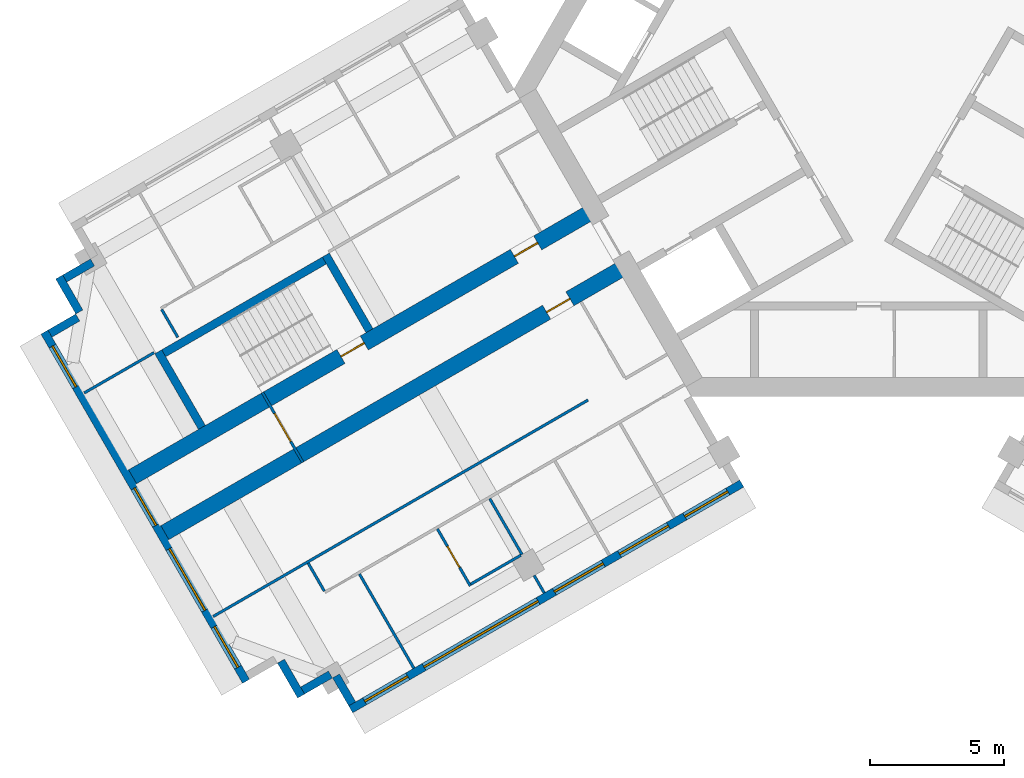
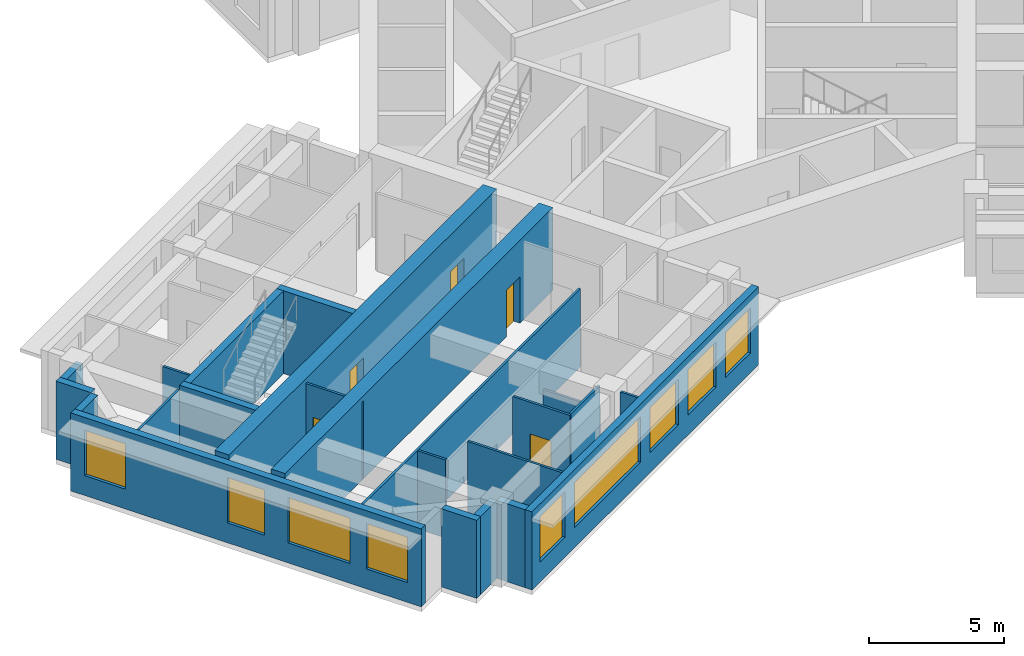
# One storey, part 2 of 10: 23 walls, 9 windows, 5 doors, 14 openings.
"""IFC4 building model written with IfcOpenShell, lengths in metres."""

from ifc_helpers import new_model, si_unit, direction, frame, frame_2d, origin, place, context, subcontext, project, spatial, rectangle, extrude, material, layer, layer_set, type_object, element, fill, save


model = new_model("IFC4")

# Units and contexts
model_context = context("Model", 3, precision=1e-05, world=origin(), true_north=direction((0.0, 1.0)))
body_context = subcontext(model_context, "Body", "Model", "MODEL_VIEW")
ifc_project = project(units=[si_unit("LENGTHUNIT", "METRE"), si_unit("AREAUNIT", "SQUARE_METRE"), si_unit("VOLUMEUNIT", "CUBIC_METRE"), si_unit("PLANEANGLEUNIT", "RADIAN"), si_unit("MASSUNIT", "GRAM", prefix="KILO")], contexts=[model_context])

# Site, building, storey
site_placement = place(None, origin())
site = spatial("IfcSite", under=ifc_project, at=site_placement, CompositionType="ELEMENT")
building_placement = place(site_placement, origin())
building = spatial("IfcBuilding", under=site, at=building_placement, Name="Impinga Residences", CompositionType="ELEMENT")
storey_placement = place(building_placement, frame((0.0, 0.0, 267.25)))
storey = spatial("IfcBuildingStorey", under=building, at=storey_placement, Name="L67", CompositionType="ELEMENT", Elevation=267.25)

# Wall, opening, door
ifc_material_1 = material(Name="Concrete C60/75", Category="concrete")
ifc_layer_1 = layer(ifc_material_1, 0.60009765625)
ifc_layer_set_1 = layer_set([ifc_layer_1], Name="Concrete C60/75")
wall_type_1 = type_object("IfcWallType", Name="BW3 corridor buttress wall, L46 to L73 600", PredefinedType="SHEAR", material=ifc_layer_set_1)
wall_1_placement = place(storey_placement, frame((-8.996826171875, -6.580078125, 0.0), z_axis=(0.0, 0.0, 1.0), x_axis=(-0.866030540451, -0.499991102927, 0.0)))
wall_1 = element("IfcWall", 1, at=wall_1_placement, inside=storey, type_object=wall_type_1, Name="Corridor wall BW3 WC L67", PredefinedType="SHEAR", context=body_context, shape_type="SweptSolid", body=[
    extrude(rectangle(XDim=19.849853515625, YDim=0.60009765625, at=frame_2d((9.9248046875, 0.0))), origin(), (0.0, 0.0, 1.0), 3.75),
])
opening_1_placement = place(wall_1_placement, frame((2.449951171875, 0.0, 0.0)))
opening_1 = element("IfcOpeningElement", 2, at=opening_1_placement, cuts=wall_1, Name="Opening D1", PredefinedType="OPENING", context=body_context, shape_type="SweptSolid", body=[
    extrude(rectangle(XDim=1.0, YDim=2.10009765625, at=frame_2d((0.5, 1.050048828125))), frame((0.0, 0.31005859375, 0.0), z_axis=(0.0, -1.0, 0.0), x_axis=(1.0, 0.0, 0.0)), (0.0, 0.0, 1.0), 0.6201171875),
])
ifc_material_2 = material(Name="Timber door set", Category="wood")
door_type_1 = type_object("IfcDoorType", Name="D1 apartment entrance door 1000x2100", OperationType="SINGLE_SWING_LEFT", PredefinedType="DOOR", material=ifc_material_2)
door_1_placement = place(opening_1_placement, origin())
door_1 = element("IfcDoor", 3, at=door_1_placement, inside=storey, type_object=door_type_1, Name="Apartment L67-WA1 entrance", OperationType="SINGLE_SWING_LEFT", OverallHeight=2.10009765625, OverallWidth=1.0, PredefinedType="DOOR", context=body_context, shape_type="SweptSolid", body=[
    extrude(rectangle(XDim=1.0, YDim=2.10009765625, at=frame_2d((0.5, 1.050048828125))), frame((0.0, 0.02490234375, 0.0), z_axis=(0.0, -1.0, 0.0), x_axis=(1.0, 0.0, 0.0)), (0.0, 0.0, 1.0), 0.050048828125),
])
fill(opening_1, door_1)

# Wall, openings, doors
wall_2_placement = place(storey_placement, frame((-10.19677734375, -4.50146484375, 0.0), z_axis=(0.0, 0.0, 1.0), x_axis=(-0.866025214745, -0.500000327426, 0.0)))
wall_2 = element("IfcWall", 4, at=wall_2_placement, inside=storey, type_object=wall_type_1, Name="Corridor wall BW3 WD L67", PredefinedType="SHEAR", context=body_context, shape_type="SweptSolid", body=[
    extrude(rectangle(XDim=19.85009765625, YDim=0.60009765625, at=frame_2d((9.925048828125, 0.0))), origin(), (0.0, 0.0, 1.0), 3.75),
])
opening_2_placement = place(wall_2_placement, frame((9.89990234375, 0.0, 0.0)))
opening_2 = element("IfcOpeningElement", 5, at=opening_2_placement, cuts=wall_2, Name="Opening D5", PredefinedType="OPENING", context=body_context, shape_type="SweptSolid", body=[
    extrude(rectangle(XDim=1.0, YDim=2.10009765625, at=frame_2d((0.5, 1.050048828125))), frame((0.0, 0.31005859375, 0.0), z_axis=(0.0, -1.0, 0.0), x_axis=(1.0, 0.0, 0.0)), (0.0, 0.0, 1.0), 0.6201171875),
])
opening_3_placement = place(wall_2_placement, frame((2.449951171875, 0.0, 0.0)))
opening_3 = element("IfcOpeningElement", 6, at=opening_3_placement, cuts=wall_2, Name="Opening D1", PredefinedType="OPENING", context=body_context, shape_type="SweptSolid", body=[
    extrude(rectangle(XDim=1.0, YDim=2.10009765625, at=frame_2d((0.5, 1.050048828125))), frame((0.0, 0.31005859375, 0.0), z_axis=(0.0, -1.0, 0.0), x_axis=(1.0, 0.0, 0.0)), (0.0, 0.0, 1.0), 0.6201171875),
])
door_2_placement = place(opening_3_placement, origin())
door_2 = element("IfcDoor", 7, at=door_2_placement, inside=storey, type_object=door_type_1, Name="Apartment L67-WF1 entrance", OperationType="SINGLE_SWING_LEFT", OverallHeight=2.10009765625, OverallWidth=1.0, PredefinedType="DOOR", context=body_context, shape_type="SweptSolid", body=[
    extrude(rectangle(XDim=1.0, YDim=2.10009765625, at=frame_2d((0.5, 1.050048828125))), frame((0.0, 0.02490234375, 0.0), z_axis=(0.0, -1.0, 0.0), x_axis=(1.0, 0.0, 0.0)), (0.0, 0.0, 1.0), 0.050048828125),
])
fill(opening_3, door_2)
door_type_2 = type_object("IfcDoorType", Name="D5 stair door 1000x2100", OperationType="SINGLE_SWING_LEFT", PredefinedType="DOOR", material=ifc_material_2)
door_3_placement = place(opening_2_placement, origin())
door_3 = element("IfcDoor", 8, at=door_3_placement, inside=storey, type_object=door_type_2, Name="Wing stair door W", OperationType="SINGLE_SWING_RIGHT", OverallHeight=2.10009765625, OverallWidth=1.0, PredefinedType="DOOR", context=body_context, shape_type="SweptSolid", body=[
    extrude(rectangle(XDim=1.0, YDim=2.10009765625, at=frame_2d((0.5, 1.050048828125))), frame((0.0, 0.02490234375, 0.0), z_axis=(0.0, -1.0, 0.0), x_axis=(1.0, 0.0, 0.0)), (0.0, 0.0, 1.0), 0.050048828125),
])
fill(opening_2, door_3)

# Wall, opening, door
ifc_material_3 = material(Name="Concrete blockwork", Category="masonry")
ifc_layer_2 = layer(ifc_material_3, 0.10009765625)
ifc_layer_set_2 = layer_set([ifc_layer_2], Name="CP1 core room partition, blockwork 100")
wall_type_2 = type_object("IfcWallType", Name="CP1 core room partition, blockwork 100", PredefinedType="PARTITIONING", material=ifc_layer_set_2)
wall_3_placement = place(storey_placement, frame((-21.057861328125, -13.889892578125, 0.0), z_axis=(0.0, 0.0, 1.0), x_axis=(-0.499990139034, 0.866031096941, 0.0)))
wall_3 = element("IfcWall", 9, at=wall_3_placement, inside=storey, type_object=wall_type_2, Name="Core room partition, blockwork L67:W:LNG", PredefinedType="PARTITIONING", context=body_context, shape_type="SweptSolid", body=[
    extrude(rectangle(XDim=3.0, YDim=0.10009765625, at=frame_2d((1.5, 0.0))), origin(), (0.0, 0.0, 1.0), 3.530029296875),
])
opening_4_placement = place(wall_3_placement, frame((0.89990234375, 0.0, 0.0)))
opening_4 = element("IfcOpeningElement", 10, at=opening_4_placement, cuts=wall_3, Name="Opening D3", PredefinedType="OPENING", context=body_context, shape_type="SweptSolid", body=[
    extrude(rectangle(XDim=1.199951171875, YDim=2.10009765625, at=frame_2d((0.60009765625, 1.050048828125))), frame((0.0, 0.06005859375, 0.0), z_axis=(0.0, -1.0, 0.0), x_axis=(1.0, 0.0, 0.0)), (0.0, 0.0, 1.0), 0.1201171875),
])
door_type_3 = type_object("IfcDoorType", Name="D3 room door, leaf and a half 1200x2100", OperationType="DOUBLE_SWING_LEFT", PredefinedType="DOOR", material=ifc_material_2)
door_4_placement = place(opening_4_placement, origin())
door_4 = element("IfcDoor", 11, at=door_4_placement, inside=storey, type_object=door_type_3, Name="Residents' lounge door W", OperationType="DOUBLE_SWING_LEFT", OverallHeight=2.10009765625, OverallWidth=1.199951171875, PredefinedType="DOOR", context=body_context, shape_type="SweptSolid", body=[
    extrude(rectangle(XDim=1.199951171875, YDim=2.10009765625, at=frame_2d((0.60009765625, 1.050048828125))), frame((0.0, 0.02490234375, 0.0), z_axis=(0.0, -1.0, 0.0), x_axis=(1.0, 0.0, 0.0)), (0.0, 0.0, 1.0), 0.050048828125),
])
fill(opening_4, door_4)

# Walls
ifc_material_4 = material(Name="Terracotta rainscreen on blockwork", Category="masonry")
ifc_layer_3 = layer(ifc_material_4, 0.300048828125)
ifc_layer_set_3 = layer_set([ifc_layer_3], Name="EW1 external wall, terracotta rainscreen on blockwork 300")
wall_type_3 = type_object("IfcWallType", Name="EW1 external wall, terracotta rainscreen on blockwork 300", PredefinedType="SOLIDWALL", material=ifc_layer_set_3)
wall_4_placement = place(storey_placement, frame((-19.21923828125, -22.874267578125, 0.0), z_axis=(0.0, 0.0, 1.0), x_axis=(-0.500033551112, 0.866006032174, 0.0)))
element("IfcWall", 12, at=wall_4_placement, inside=storey, type_object=wall_type_3, Name="External wall EW1 L67", PredefinedType="SOLIDWALL", context=body_context, shape_type="SweptSolid", body=[
    extrude(rectangle(XDim=1.2001953125, YDim=0.300048828125, at=frame_2d((0.60009765625, 0.0))), origin(), (0.0, 0.0, 1.0), 3.530029296875),
])
wall_5_placement = place(storey_placement, frame((-20.028564453125, -21.782470703125, 0.0), z_axis=(0.0, 0.0, 1.0), x_axis=(-0.865971243484, -0.500093796661, 0.0)))
element("IfcWall", 13, at=wall_5_placement, inside=storey, type_object=wall_type_3, Name="External wall EW1 L67", PredefinedType="SOLIDWALL", context=body_context, shape_type="SweptSolid", body=[
    extrude(rectangle(XDim=1.195068359375, YDim=0.300048828125, at=frame_2d((0.59765625, 0.0))), origin(), (0.0, 0.0, 1.0), 3.530029296875),
])
wall_6_placement = place(storey_placement, frame((-21.118408203125, -22.5849609375, 0.0), z_axis=(0.0, 0.0, 1.0), x_axis=(-0.499990139034, 0.866031096941, 0.0)))
element("IfcWall", 14, at=wall_6_placement, inside=storey, type_object=wall_type_3, Name="External wall EW1 L67", PredefinedType="SOLIDWALL", context=body_context, shape_type="SweptSolid", body=[
    extrude(rectangle(XDim=1.5, YDim=0.300048828125, at=frame_2d((0.75, 0.0))), origin(), (0.0, 0.0, 1.0), 3.530029296875),
])

# Wall, openings, windows
wall_7_placement = place(storey_placement, frame((-23.16748046875, -22.035888671875, 0.0), z_axis=(0.0, 0.0, 1.0), x_axis=(-0.500004234368, 0.866022959057, 0.0)))
wall_7 = element("IfcWall", 15, at=wall_7_placement, inside=storey, type_object=wall_type_3, Name="External wall EW1 L67", PredefinedType="SOLIDWALL", context=body_context, shape_type="SweptSolid", body=[
    extrude(rectangle(XDim=14.999755859375, YDim=0.300048828125, at=frame_2d((7.5, 0.0))), origin(), (0.0, 0.0, 1.0), 3.530029296875),
])
opening_5_placement = place(wall_7_placement, frame((0.60009765625, 0.0, 0.89990234375)))
opening_5 = element("IfcOpeningElement", 16, at=opening_5_placement, cuts=wall_7, Name="Opening W1", PredefinedType="OPENING", context=body_context, shape_type="SweptSolid", body=[
    extrude(rectangle(XDim=1.75, YDim=2.050048828125, at=frame_2d((0.875, 1.02490234375))), frame((0.0, 0.159912109375, 0.0), z_axis=(0.0, -1.0, 0.0), x_axis=(1.0, 0.0, 0.0)), (0.0, 0.0, 1.0), 0.320068359375),
])
opening_6_placement = place(wall_7_placement, frame((3.050048828125, 0.0, 0.89990234375)))
opening_6 = element("IfcOpeningElement", 17, at=opening_6_placement, cuts=wall_7, Name="Opening W18", PredefinedType="OPENING", context=body_context, shape_type="SweptSolid", body=[
    extrude(rectangle(XDim=2.64990234375, YDim=2.050048828125, at=frame_2d((1.324951171875, 1.02490234375))), frame((0.0, 0.159912109375, 0.0), z_axis=(0.0, -1.0, 0.0), x_axis=(1.0, 0.0, 0.0)), (0.0, 0.0, 1.0), 0.320068359375),
])
opening_7_placement = place(wall_7_placement, frame((6.699951171875, 0.0, 0.89990234375)))
opening_7 = element("IfcOpeningElement", 18, at=opening_7_placement, cuts=wall_7, Name="Opening W19", PredefinedType="OPENING", context=body_context, shape_type="SweptSolid", body=[
    extrude(rectangle(XDim=1.60009765625, YDim=2.050048828125, at=frame_2d((0.800048828125, 1.02490234375))), frame((0.0, 0.159912109375, 0.0), z_axis=(0.0, -1.0, 0.0), x_axis=(1.0, 0.0, 0.0)), (0.0, 0.0, 1.0), 0.320068359375),
])
opening_8_placement = place(wall_7_placement, frame((12.64990234375, 0.0, 0.89990234375)))
opening_8 = element("IfcOpeningElement", 19, at=opening_8_placement, cuts=wall_7, Name="Opening W1", PredefinedType="OPENING", context=body_context, shape_type="SweptSolid", body=[
    extrude(rectangle(XDim=1.75, YDim=2.050048828125, at=frame_2d((0.875, 1.02490234375))), frame((0.0, 0.159912109375, 0.0), z_axis=(0.0, -1.0, 0.0), x_axis=(1.0, 0.0, 0.0)), (0.0, 0.0, 1.0), 0.320068359375),
])
ifc_material_5 = material(Name="Aluminium window, clear double glazing", Category="aluminium")
window_type_1 = type_object("IfcWindowType", Name="W1 ribbon window 1750x2050", PartitioningType="SINGLE_PANEL", PredefinedType="WINDOW", material=ifc_material_5)
window_1_placement = place(opening_5_placement, origin())
window_1 = element("IfcWindow", 20, at=window_1_placement, inside=storey, type_object=window_type_1, Name="Window L67", OverallHeight=2.050048828125, OverallWidth=1.75, PartitioningType="SINGLE_PANEL", PredefinedType="WINDOW", context=body_context, shape_type="SweptSolid", body=[
    extrude(rectangle(XDim=1.75, YDim=2.050048828125, at=frame_2d((0.875, 1.02490234375))), frame((0.0, 0.030029296875, 0.0), z_axis=(0.0, -1.0, 0.0), x_axis=(1.0, 0.0, 0.0)), (0.0, 0.0, 1.0), 0.06005859375),
])
fill(opening_5, window_1)
window_2_placement = place(opening_8_placement, origin())
window_2 = element("IfcWindow", 21, at=window_2_placement, inside=storey, type_object=window_type_1, Name="Window L67", OverallHeight=2.050048828125, OverallWidth=1.75, PartitioningType="SINGLE_PANEL", PredefinedType="WINDOW", context=body_context, shape_type="SweptSolid", body=[
    extrude(rectangle(XDim=1.75, YDim=2.050048828125, at=frame_2d((0.875, 1.02490234375))), frame((0.0, 0.030029296875, 0.0), z_axis=(0.0, -1.0, 0.0), x_axis=(1.0, 0.0, 0.0)), (0.0, 0.0, 1.0), 0.06005859375),
])
fill(opening_8, window_2)
window_type_2 = type_object("IfcWindowType", Name="W18 ribbon window 2650x2050", PartitioningType="SINGLE_PANEL", PredefinedType="WINDOW", material=ifc_material_5)
window_3_placement = place(opening_6_placement, origin())
window_3 = element("IfcWindow", 22, at=window_3_placement, inside=storey, type_object=window_type_2, Name="Window L67", OverallHeight=2.050048828125, OverallWidth=2.64990234375, PartitioningType="SINGLE_PANEL", PredefinedType="WINDOW", context=body_context, shape_type="SweptSolid", body=[
    extrude(rectangle(XDim=2.64990234375, YDim=2.050048828125, at=frame_2d((1.324951171875, 1.02490234375))), frame((0.0, 0.030029296875, 0.0), z_axis=(0.0, -1.0, 0.0), x_axis=(1.0, 0.0, 0.0)), (0.0, 0.0, 1.0), 0.06005859375),
])
fill(opening_6, window_3)
window_type_3 = type_object("IfcWindowType", Name="W19 ribbon window 1600x2050", PartitioningType="SINGLE_PANEL", PredefinedType="WINDOW", material=ifc_material_5)
window_4_placement = place(opening_7_placement, origin())
window_4 = element("IfcWindow", 23, at=window_4_placement, inside=storey, type_object=window_type_3, Name="Window L67", OverallHeight=2.050048828125, OverallWidth=1.60009765625, PartitioningType="SINGLE_PANEL", PredefinedType="WINDOW", context=body_context, shape_type="SweptSolid", body=[
    extrude(rectangle(XDim=1.60009765625, YDim=2.050048828125, at=frame_2d((0.800048828125, 1.02490234375))), frame((0.0, 0.030029296875, 0.0), z_axis=(0.0, -1.0, 0.0), x_axis=(1.0, 0.0, 0.0)), (0.0, 0.0, 1.0), 0.06005859375),
])
fill(opening_7, window_4)

# Walls
wall_8_placement = place(storey_placement, frame((-30.46240234375, -9.1005859375, 0.0), z_axis=(0.0, 0.0, 1.0), x_axis=(0.865971243484, 0.500093796661, 0.0)))
element("IfcWall", 24, at=wall_8_placement, inside=storey, type_object=wall_type_3, Name="External wall EW1 L67", PredefinedType="SOLIDWALL", context=body_context, shape_type="SweptSolid", body=[
    extrude(rectangle(XDim=1.195068359375, YDim=0.300048828125, at=frame_2d((0.59765625, 0.0))), origin(), (0.0, 0.0, 1.0), 3.530029296875),
])
wall_9_placement = place(storey_placement, frame((-29.368408203125, -8.295654296875, 0.0), z_axis=(0.0, 0.0, 1.0), x_axis=(-0.499990139034, 0.866031096941, 0.0)))
element("IfcWall", 25, at=wall_9_placement, inside=storey, type_object=wall_type_3, Name="External wall EW1 L67", PredefinedType="SOLIDWALL", context=body_context, shape_type="SweptSolid", body=[
    extrude(rectangle(XDim=1.5, YDim=0.300048828125, at=frame_2d((0.75, 0.0))), origin(), (0.0, 0.0, 1.0), 3.530029296875),
])
wall_10_placement = place(storey_placement, frame((-29.91357421875, -7.051513671875, 0.0), z_axis=(0.0, 0.0, 1.0), x_axis=(0.865971243484, 0.500093796661, 0.0)))
element("IfcWall", 26, at=wall_10_placement, inside=storey, type_object=wall_type_3, Name="External wall EW1 L67", PredefinedType="SOLIDWALL", context=body_context, shape_type="SweptSolid", body=[
    extrude(rectangle(XDim=1.195068359375, YDim=0.300048828125, at=frame_2d((0.59765625, 0.0))), origin(), (0.0, 0.0, 1.0), 3.530029296875),
])

# Wall, openings, windows
wall_11_placement = place(storey_placement, frame((-4.72509765625, -14.67919921875, 0.0), z_axis=(0.0, 0.0, 1.0), x_axis=(-0.86602562146, -0.499999622975, 0.0)))
wall_11 = element("IfcWall", 27, at=wall_11_placement, inside=storey, type_object=wall_type_3, Name="External wall EW1 L67", PredefinedType="SOLIDWALL", context=body_context, shape_type="SweptSolid", body=[
    extrude(rectangle(XDim=16.7998046875, YDim=0.300048828125, at=frame_2d((8.39990234375, 0.0))), origin(), (0.0, 0.0, 1.0), 3.530029296875),
])
opening_9_placement = place(wall_11_placement, frame((0.60009765625, 0.0, 0.89990234375)))
opening_9 = element("IfcOpeningElement", 28, at=opening_9_placement, cuts=wall_11, Name="Opening W15", PredefinedType="OPENING", context=body_context, shape_type="SweptSolid", body=[
    extrude(rectangle(XDim=1.85009765625, YDim=2.050048828125, at=frame_2d((0.925048828125, 1.02490234375))), frame((0.0, 0.159912109375, 0.0), z_axis=(0.0, -1.0, 0.0), x_axis=(1.0, 0.0, 0.0)), (0.0, 0.0, 1.0), 0.320068359375),
])
opening_10_placement = place(wall_11_placement, frame((3.14990234375, 0.0, 0.89990234375)))
opening_10 = element("IfcOpeningElement", 29, at=opening_10_placement, cuts=wall_11, Name="Opening W9", PredefinedType="OPENING", context=body_context, shape_type="SweptSolid", body=[
    extrude(rectangle(XDim=2.10009765625, YDim=2.050048828125, at=frame_2d((1.050048828125, 1.02490234375))), frame((0.0, 0.159912109375, 0.0), z_axis=(0.0, -1.0, 0.0), x_axis=(1.0, 0.0, 0.0)), (0.0, 0.0, 1.0), 0.320068359375),
])
opening_11_placement = place(wall_11_placement, frame((5.949951171875, 0.0, 0.89990234375)))
opening_11 = element("IfcOpeningElement", 30, at=opening_11_placement, cuts=wall_11, Name="Opening W9", PredefinedType="OPENING", context=body_context, shape_type="SweptSolid", body=[
    extrude(rectangle(XDim=2.10009765625, YDim=2.050048828125, at=frame_2d((1.050048828125, 1.02490234375))), frame((0.0, 0.159912109375, 0.0), z_axis=(0.0, -1.0, 0.0), x_axis=(1.0, 0.0, 0.0)), (0.0, 0.0, 1.0), 0.320068359375),
])
opening_12_placement = place(wall_11_placement, frame((8.75, 0.0, 0.89990234375)))
opening_12 = element("IfcOpeningElement", 31, at=opening_12_placement, cuts=wall_11, Name="Opening W16", PredefinedType="OPENING", context=body_context, shape_type="SweptSolid", body=[
    extrude(rectangle(XDim=4.89990234375, YDim=2.050048828125, at=frame_2d((2.449951171875, 1.02490234375))), frame((0.0, 0.159912109375, 0.0), z_axis=(0.0, -1.0, 0.0), x_axis=(1.0, 0.0, 0.0)), (0.0, 0.0, 1.0), 0.320068359375),
])
opening_13_placement = place(wall_11_placement, frame((14.35009765625, 0.0, 0.89990234375)))
opening_13 = element("IfcOpeningElement", 32, at=opening_13_placement, cuts=wall_11, Name="Opening W15", PredefinedType="OPENING", context=body_context, shape_type="SweptSolid", body=[
    extrude(rectangle(XDim=1.85009765625, YDim=2.050048828125, at=frame_2d((0.925048828125, 1.02490234375))), frame((0.0, 0.159912109375, 0.0), z_axis=(0.0, -1.0, 0.0), x_axis=(1.0, 0.0, 0.0)), (0.0, 0.0, 1.0), 0.320068359375),
])
window_type_4 = type_object("IfcWindowType", Name="W15 ribbon window 1850x2050", PartitioningType="SINGLE_PANEL", PredefinedType="WINDOW", material=ifc_material_5)
window_5_placement = place(opening_9_placement, origin())
window_5 = element("IfcWindow", 33, at=window_5_placement, inside=storey, type_object=window_type_4, Name="Window L67", OverallHeight=2.050048828125, OverallWidth=1.85009765625, PartitioningType="SINGLE_PANEL", PredefinedType="WINDOW", context=body_context, shape_type="SweptSolid", body=[
    extrude(rectangle(XDim=1.85009765625, YDim=2.050048828125, at=frame_2d((0.925048828125, 1.02490234375))), frame((0.0, 0.030029296875, 0.0), z_axis=(0.0, -1.0, 0.0), x_axis=(1.0, 0.0, 0.0)), (0.0, 0.0, 1.0), 0.06005859375),
])
fill(opening_9, window_5)
window_6_placement = place(opening_13_placement, origin())
window_6 = element("IfcWindow", 34, at=window_6_placement, inside=storey, type_object=window_type_4, Name="Window L67", OverallHeight=2.050048828125, OverallWidth=1.85009765625, PartitioningType="SINGLE_PANEL", PredefinedType="WINDOW", context=body_context, shape_type="SweptSolid", body=[
    extrude(rectangle(XDim=1.85009765625, YDim=2.050048828125, at=frame_2d((0.925048828125, 1.02490234375))), frame((0.0, 0.030029296875, 0.0), z_axis=(0.0, -1.0, 0.0), x_axis=(1.0, 0.0, 0.0)), (0.0, 0.0, 1.0), 0.06005859375),
])
fill(opening_13, window_6)
window_type_5 = type_object("IfcWindowType", Name="W16 ribbon window 4900x2050", PartitioningType="SINGLE_PANEL", PredefinedType="WINDOW", material=ifc_material_5)
window_7_placement = place(opening_12_placement, origin())
window_7 = element("IfcWindow", 35, at=window_7_placement, inside=storey, type_object=window_type_5, Name="Window L67", OverallHeight=2.050048828125, OverallWidth=4.89990234375, PartitioningType="SINGLE_PANEL", PredefinedType="WINDOW", context=body_context, shape_type="SweptSolid", body=[
    extrude(rectangle(XDim=4.89990234375, YDim=2.050048828125, at=frame_2d((2.449951171875, 1.02490234375))), frame((0.0, 0.030029296875, 0.0), z_axis=(0.0, -1.0, 0.0), x_axis=(1.0, 0.0, 0.0)), (0.0, 0.0, 1.0), 0.06005859375),
])
fill(opening_12, window_7)
window_type_6 = type_object("IfcWindowType", Name="W9 ribbon window 2100x2050", PartitioningType="SINGLE_PANEL", PredefinedType="WINDOW", material=ifc_material_5)
window_8_placement = place(opening_10_placement, origin())
window_8 = element("IfcWindow", 36, at=window_8_placement, inside=storey, type_object=window_type_6, Name="Window L67", OverallHeight=2.050048828125, OverallWidth=2.10009765625, PartitioningType="SINGLE_PANEL", PredefinedType="WINDOW", context=body_context, shape_type="SweptSolid", body=[
    extrude(rectangle(XDim=2.10009765625, YDim=2.050048828125, at=frame_2d((1.050048828125, 1.02490234375))), frame((0.0, 0.030029296875, 0.0), z_axis=(0.0, -1.0, 0.0), x_axis=(1.0, 0.0, 0.0)), (0.0, 0.0, 1.0), 0.06005859375),
])
fill(opening_10, window_8)
window_9_placement = place(opening_11_placement, origin())
window_9 = element("IfcWindow", 37, at=window_9_placement, inside=storey, type_object=window_type_6, Name="Window L67", OverallHeight=2.050048828125, OverallWidth=2.10009765625, PartitioningType="SINGLE_PANEL", PredefinedType="WINDOW", context=body_context, shape_type="SweptSolid", body=[
    extrude(rectangle(XDim=2.10009765625, YDim=2.050048828125, at=frame_2d((1.050048828125, 1.02490234375))), frame((0.0, 0.030029296875, 0.0), z_axis=(0.0, -1.0, 0.0), x_axis=(1.0, 0.0, 0.0)), (0.0, 0.0, 1.0), 0.06005859375),
])
fill(opening_11, window_9)

# Walls
ifc_material_6 = material(Name="Gypsum board on steel studs", Category="steel")
ifc_layer_4 = layer(ifc_material_6, 0.10009765625)
ifc_layer_set_4 = layer_set([ifc_layer_4], Name="Gypsum board on steel studs")
wall_type_4 = type_object("IfcWallType", Name="IP1 partition 100", PredefinedType="PARTITIONING", material=ifc_layer_set_4)
wall_12_placement = place(storey_placement, frame((-10.444580078125, -11.57275390625, 0.0), z_axis=(0.0, 0.0, 1.0), x_axis=(-0.866021949085, -0.500005983666, 0.0)))
element("IfcWall", 38, at=wall_12_placement, inside=storey, type_object=wall_type_4, Name="Partition L67-WA1:DIV1", PredefinedType="PARTITIONING", context=body_context, shape_type="SweptSolid", body=[
    extrude(rectangle(XDim=16.099853515625, YDim=0.10009765625, at=frame_2d((8.0498046875, 0.0))), origin(), (0.0, 0.0, 1.0), 3.530029296875),
])
wall_13_placement = place(storey_placement, frame((-20.85498046875, -17.640869140625, 0.0), z_axis=(0.0, 0.0, 1.0), x_axis=(0.499880961361, -0.866094119867, 0.0)))
element("IfcWall", 39, at=wall_13_placement, inside=storey, type_object=wall_type_4, Name="Partition L67-WA1:SE1", PredefinedType="PARTITIONING", context=body_context, shape_type="SweptSolid", body=[
    extrude(rectangle(XDim=1.199951171875, YDim=0.10009765625, at=frame_2d((0.60009765625, 0.0))), origin(), (0.0, 0.0, 1.0), 3.530029296875),
])
wall_14_placement = place(storey_placement, frame((-14.099609375, -15.241943359375, 0.0), z_axis=(0.0, 0.0, 1.0), x_axis=(0.500001309137, -0.866024647952, 0.0)))
element("IfcWall", 40, at=wall_14_placement, inside=storey, type_object=wall_type_4, Name="Partition L67-WA1:OB3", PredefinedType="PARTITIONING", context=body_context, shape_type="SweptSolid", body=[
    extrude(rectangle(XDim=2.39990234375, YDim=0.10009765625, at=frame_2d((1.199951171875, 0.0))), origin(), (0.0, 0.0, 1.0), 2.47998046875),
])
wall_15_placement = place(storey_placement, frame((-12.44970703125, -18.099609375, 0.0), z_axis=(0.0, 0.0, 1.0), x_axis=(0.499919672301, -0.866071776036, 0.0)))
element("IfcWall", 41, at=wall_15_placement, inside=storey, type_object=wall_type_4, Name="Partition L67-WA1:OB3b", PredefinedType="PARTITIONING", context=body_context, shape_type="SweptSolid", body=[
    extrude(rectangle(XDim=0.75, YDim=0.10009765625, at=frame_2d((0.375, 0.0))), origin(), (0.0, 0.0, 1.0), 3.530029296875),
])
wall_16_placement = place(storey_placement, frame((-18.949462890625, -18.041748046875, 0.0), z_axis=(0.0, 0.0, 1.0), x_axis=(0.50000943426, -0.866019956843, 0.0)))
element("IfcWall", 42, at=wall_16_placement, inside=storey, type_object=wall_type_4, Name="Partition L67-WA1:OB4", PredefinedType="PARTITIONING", context=body_context, shape_type="SweptSolid", body=[
    extrude(rectangle(XDim=4.05029296875, YDim=0.10009765625, at=frame_2d((2.025146484375, 0.0))), origin(), (0.0, 0.0, 1.0), 3.530029296875),
])

# Wall, opening, door
wall_17_placement = place(storey_placement, frame((-16.048095703125, -16.366943359375, 0.0), z_axis=(0.0, 0.0, 1.0), x_axis=(0.499987006516, -0.866032905446, 0.0)))
wall_17 = element("IfcWall", 43, at=wall_17_placement, inside=storey, type_object=wall_type_4, Name="Partition L67-WA1:EN1", PredefinedType="PARTITIONING", context=body_context, shape_type="SweptSolid", body=[
    extrude(rectangle(XDim=2.44970703125, YDim=0.10009765625, at=frame_2d((1.224853515625, 0.0))), origin(), (0.0, 0.0, 1.0), 3.530029296875),
])
opening_14_placement = place(wall_17_placement, frame((0.75, 0.0, 0.0)))
opening_14 = element("IfcOpeningElement", 44, at=opening_14_placement, cuts=wall_17, Name="Opening D2", PredefinedType="OPENING", context=body_context, shape_type="SweptSolid", body=[
    extrude(rectangle(XDim=0.89990234375, YDim=2.10009765625, at=frame_2d((0.449951171875, 1.050048828125))), frame((0.0, 0.06005859375, 0.0), z_axis=(0.0, -1.0, 0.0), x_axis=(1.0, 0.0, 0.0)), (0.0, 0.0, 1.0), 0.1201171875),
])
door_type_4 = type_object("IfcDoorType", Name="D2 internal door 900x2100", OperationType="SINGLE_SWING_LEFT", PredefinedType="DOOR", material=ifc_material_2)
door_5_placement = place(opening_14_placement, origin())
door_5 = element("IfcDoor", 45, at=door_5_placement, inside=storey, type_object=door_type_4, Name="Apartment L67-WA1 en-suite door", OperationType="SINGLE_SWING_LEFT", OverallHeight=2.10009765625, OverallWidth=0.89990234375, PredefinedType="DOOR", context=body_context, shape_type="SweptSolid", body=[
    extrude(rectangle(XDim=0.89990234375, YDim=2.10009765625, at=frame_2d((0.449951171875, 1.050048828125))), frame((0.0, 0.02490234375, 0.0), z_axis=(0.0, -1.0, 0.0), x_axis=(1.0, 0.0, 0.0)), (0.0, 0.0, 1.0), 0.050048828125),
])
fill(opening_14, door_5)

# Walls
wall_18_placement = place(storey_placement, frame((-12.94287109375, -17.34521484375, 0.0), z_axis=(0.0, 0.0, 1.0), x_axis=(-0.866047553582, -0.499961633463, 0.0)))
element("IfcWall", 46, at=wall_18_placement, inside=storey, type_object=wall_type_4, Name="Partition L67-WA1:EN2", PredefinedType="PARTITIONING", context=body_context, shape_type="SweptSolid", body=[
    extrude(rectangle(XDim=2.150146484375, YDim=0.10009765625, at=frame_2d((1.0751953125, 0.0))), origin(), (0.0, 0.0, 1.0), 3.530029296875),
])
wall_19_placement = place(storey_placement, frame((-26.58935546875, -9.808837890625, 0.0), z_axis=(0.0, 0.0, 1.0), x_axis=(-0.866031096941, -0.499990139034, 0.0)))
element("IfcWall", 47, at=wall_19_placement, inside=storey, type_object=wall_type_4, Name="Partition L67-WF1:DIV2", PredefinedType="PARTITIONING", context=body_context, shape_type="SweptSolid", body=[
    extrude(rectangle(XDim=3.0, YDim=0.10009765625, at=frame_2d((1.5, 0.0))), origin(), (0.0, 0.0, 1.0), 3.530029296875),
])
wall_20_placement = place(storey_placement, frame((-25.705078125, -9.240478515625, 0.0), z_axis=(0.0, 0.0, 1.0), x_axis=(-0.50012165622, 0.865955154139, 0.0)))
element("IfcWall", 48, at=wall_20_placement, inside=storey, type_object=wall_type_4, Name="Partition L67-WF1:SE1", PredefinedType="PARTITIONING", context=body_context, shape_type="SweptSolid", body=[
    extrude(rectangle(XDim=1.199951171875, YDim=0.10009765625, at=frame_2d((0.60009765625, 0.0))), origin(), (0.0, 0.0, 1.0), 3.530029296875),
])
ifc_layer_5 = layer(ifc_material_1, 0.300048828125)
ifc_layer_set_5 = layer_set([ifc_layer_5], Name="Concrete C60/75")
wall_type_5 = type_object("IfcWallType", Name="SE1 wing stair enclosure wall 300", PredefinedType="SOLIDWALL", material=ifc_layer_set_5)
for number, where, z_axis, x_axis, name in (
    (49, (-18.57421875, -8.99169921875, 0.0), (0.0, 0.0, 1.0), (-0.500017246033, 0.866015446554, 0.0), "Stair enclosure wall SE1 W END0 L67"),
    (50, (-24.8095703125, -12.591796875, 0.0), (0.0, 0.0, 1.0), (-0.499984717929, 0.866034226713, 0.0), "Stair enclosure wall SE1 W END1 L67"),
):
    element("IfcWall", number, at=place(storey_placement, frame(where, z_axis=z_axis, x_axis=x_axis)), inside=storey, type_object=wall_type_5, Name=name, PredefinedType="SOLIDWALL", context=body_context, shape_type="SweptSolid", body=[
        extrude(rectangle(XDim=3.25, YDim=0.300048828125, at=frame_2d((1.625, 0.0))), origin(), (0.0, 0.0, 1.0), 3.75),
    ])
wall_21_placement = place(storey_placement, frame((-20.254150390625, -6.382080078125, 0.0), z_axis=(0.0, 0.0, 1.0), x_axis=(-0.866020008033, -0.500009345598, 0.0)))
element("IfcWall", 51, at=wall_21_placement, inside=storey, type_object=wall_type_5, Name="Stair enclosure wall SE1 W OUT L67", PredefinedType="SOLIDWALL", context=body_context, shape_type="SweptSolid", body=[
    extrude(rectangle(XDim=6.899658203125, YDim=0.300048828125, at=frame_2d((3.44970703125, 0.0))), origin(), (0.0, 0.0, 1.0), 3.75),
])

save(model, "model.ifc")
